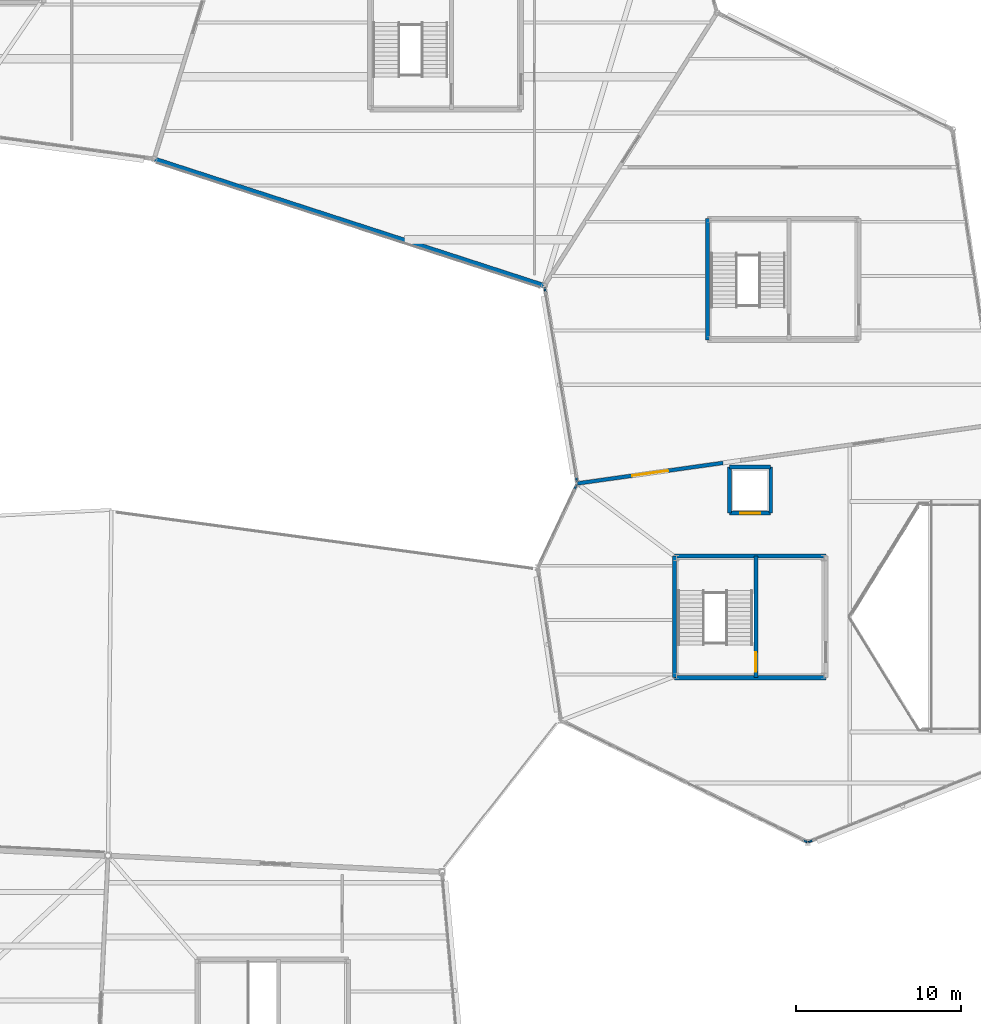
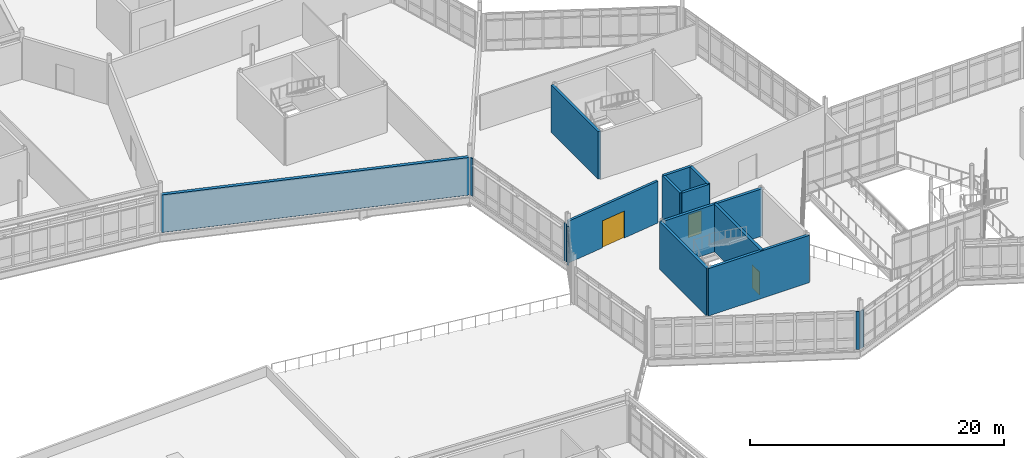
# One storey, part 89 of 114: 16 walls, 3 doors, 3 openings.
"""IFC4 building model written with IfcOpenShell, lengths in metres."""

from ifc_helpers import new_model, si_unit, direction, frame, frame_2d, origin, place, context, subcontext, project, spatial, rectangle, extrude, material, layer, layer_set, type_object, element, fill, save


model = new_model("IFC4")

# Units and contexts
model_context = context("Model", 3, precision=1e-05, world=origin(), true_north=direction((0.0, 1.0)))
body_context = subcontext(model_context, "Body", "Model", "MODEL_VIEW")
ifc_project = project(units=[si_unit("LENGTHUNIT", "METRE"), si_unit("AREAUNIT", "SQUARE_METRE"), si_unit("VOLUMEUNIT", "CUBIC_METRE"), si_unit("PLANEANGLEUNIT", "RADIAN"), si_unit("MASSUNIT", "GRAM", prefix="KILO")], contexts=[model_context])

# Site, building, storey
site_placement = place(None, origin())
site = spatial("IfcSite", under=ifc_project, at=site_placement, CompositionType="ELEMENT")
building_placement = place(site_placement, origin())
building = spatial("IfcBuilding", under=site, at=building_placement, Name="Tameran Prism Museum", CompositionType="ELEMENT")
storey_placement = place(building_placement, frame((0.0, 0.0, 10.199951171875)))
storey = spatial("IfcBuildingStorey", under=building, at=storey_placement, Name="L02", CompositionType="ELEMENT", Elevation=10.199951171875)

# Walls
ifc_material_1 = material(Name="Precast Concrete N40 (40 MPa)", Category="concrete")
ifc_layer_1 = layer(ifc_material_1, 0.094970703125)
ifc_layer_set_1 = layer_set([ifc_layer_1])
wall_type_1 = type_object("IfcWallType", Name="EW-CLOS-095", PredefinedType="SOLIDWALL", material=ifc_layer_set_1)
wall_1_placement = place(storey_placement, frame((65.9619140625, 22.819091796875, 0.0), z_axis=(0.0, 0.0, 1.0), x_axis=(-0.896952807524, 0.44212629539, 0.0)))
element("IfcWall", 1, at=wall_1_placement, inside=storey, type_object=wall_type_1, Name="Facade Corner Closure EW-0294", PredefinedType="SOLIDWALL", context=body_context, shape_type="SweptSolid", body=[
    extrude(rectangle(XDim=0.3076171875, YDim=0.094970703125, at=frame_2d((0.15380859375, 0.0))), origin(), (0.0, 0.0, 1.0), 3.6201171875),
])
wall_2_placement = place(storey_placement, frame((66.324951171875, 22.929931640625, 0.0), z_axis=(0.0, 0.0, 1.0), x_axis=(-0.928859130521, -0.370433145989, 0.0)))
element("IfcWall", 2, at=wall_2_placement, inside=storey, type_object=wall_type_1, Name="Facade Corner Closure EW-0297", PredefinedType="SOLIDWALL", context=body_context, shape_type="SweptSolid", body=[
    extrude(rectangle(XDim=0.307861328125, YDim=0.094970703125, at=frame_2d((0.15380859375, 0.0))), origin(), (0.0, 0.0, 1.0), 3.6201171875),
])
wall_3_placement = place(storey_placement, frame((51.824951171875, 44.22900390625, 0.0), z_axis=(0.0, 0.0, 1.0), x_axis=(0.425224932958, 0.905087706463, 0.0)))
element("IfcWall", 3, at=wall_3_placement, inside=storey, type_object=wall_type_1, Name="Facade Corner Closure EW-0299", PredefinedType="SOLIDWALL", context=body_context, shape_type="SweptSolid", body=[
    extrude(rectangle(XDim=0.308349609375, YDim=0.094970703125, at=frame_2d((0.154296875, 0.0))), origin(), (0.0, 0.0, 1.0), 3.6201171875),
])
for number, where, z_axis, x_axis, name in (
    (4, (51.98291015625, 44.699951171875, 0.0), (0.0, 0.0, 1.0), (-0.165554954509, 0.986200566334, 0.0), "Facade Corner Closure EW-0308"),
    (5, (50.068115234375, 56.196044921875, 0.0), (0.0, 0.0, 1.0), (-0.165554954509, 0.986200566334, 0.0), "Facade Corner Closure EW-0309"),
):
    element("IfcWall", number, at=place(storey_placement, frame(where, z_axis=z_axis, x_axis=x_axis)), inside=storey, type_object=wall_type_1, Name=name, PredefinedType="SOLIDWALL", context=body_context, shape_type="SweptSolid", body=[
        extrude(rectangle(XDim=0.30810546875, YDim=0.094970703125, at=frame_2d((0.154052734375, 0.0))), origin(), (0.0, 0.0, 1.0), 3.6201171875),
    ])
ifc_material_2 = material(Name="Precast Concrete N40 (40 MPa)", Category="concrete")
ifc_layer_2 = layer(ifc_material_2, 0.2900390625)
ifc_layer_set_2 = layer_set([ifc_layer_2])
wall_type_2 = type_object("IfcWallType", Name="EW-FOY-290", PredefinedType="SOLIDWALL", material=ifc_layer_set_2)
wall_4_placement = place(storey_placement, frame((49.943115234375, 56.618896484375, 0.0), z_axis=(0.0, 0.0, 1.0), x_axis=(-0.951074357174, 0.308962080402, 0.0)))
element("IfcWall", 6, at=wall_4_placement, inside=storey, type_object=wall_type_2, Name="Exterior Fluted Precast Wall EW-0341", PredefinedType="SOLIDWALL", context=body_context, shape_type="SweptSolid", body=[
    extrude(rectangle(XDim=24.799560546875, YDim=0.2900390625, at=frame_2d((12.39990234375, 0.0))), origin(), (0.0, 0.0, 1.0), 3.6201171875),
])

# Wall, opening, door
ifc_material_3 = material(Name="Concrete N40 (40 MPa)", Category="concrete")
ifc_layer_3 = layer(ifc_material_3, 0.22509765625)
ifc_layer_set_3 = layer_set([ifc_layer_3])
wall_type_3 = type_object("IfcWallType", Name="IW-CMP-225", PredefinedType="SOLIDWALL", material=ifc_layer_set_3)
wall_5_placement = place(storey_placement, frame((60.85009765625, 45.84912109375, 0.0), z_axis=(0.0, 0.0, 1.0), x_axis=(-0.990187360524, -0.139746166523, 0.0)))
wall_5 = element("IfcWall", 7, at=wall_5_placement, inside=storey, type_object=wall_type_3, Name="Compartment Wall IW-0118", PredefinedType="SOLIDWALL", context=body_context, shape_type="SweptSolid", body=[
    extrude(rectangle(XDim=8.937744140625, YDim=0.22509765625, at=frame_2d((4.46875, 0.0))), origin(), (0.0, 0.0, 1.0), 4.02001953125),
])
opening_1_placement = place(wall_5_placement, frame((3.368896484375, 0.0, 0.0)))
opening_1 = element("IfcOpeningElement", 8, at=opening_1_placement, cuts=wall_5, Name="Opening ID-0117", PredefinedType="OPENING", context=body_context, shape_type="SweptSolid", body=[
    extrude(rectangle(XDim=2.199951171875, YDim=2.60009765625, at=frame_2d((1.10009765625, 1.300048828125))), frame((0.0, 0.12255859375, 0.0), z_axis=(0.0, -1.0, 0.0), x_axis=(1.0, 0.0, 0.0)), (0.0, 0.0, 1.0), 0.2451171875),
])
ifc_material_4 = material(Name="Fire-Rated Steel Door Leaf and Frame", Category="steel")
door_type_1 = type_object("IfcDoorType", Name="DR-GAL-220", OperationType="DOUBLE_DOOR_SINGLE_SWING", PredefinedType="DOOR", material=ifc_material_4)
door_1_placement = place(opening_1_placement, origin())
door_1 = element("IfcDoor", 9, at=door_1_placement, inside=storey, type_object=door_type_1, Name="Compartment Door ID-0117", OperationType="DOUBLE_DOOR_SINGLE_SWING", OverallHeight=2.60009765625, OverallWidth=2.199951171875, PredefinedType="DOOR", context=body_context, shape_type="SweptSolid", body=[
    extrude(rectangle(XDim=2.199951171875, YDim=2.60009765625, at=frame_2d((1.10009765625, 1.300048828125))), frame((0.0, 0.02490234375, 0.0), z_axis=(0.0, -1.0, 0.0), x_axis=(1.0, 0.0, 0.0)), (0.0, 0.0, 1.0), 0.050048828125),
])
fill(opening_1, door_1)

# Walls
ifc_material_5 = material(Name="Concrete N40 (40 MPa)", Category="concrete")
ifc_layer_4 = layer(ifc_material_5, 0.25)
ifc_layer_set_4 = layer_set([ifc_layer_4])
wall_type_4 = type_object("IfcWallType", Name="IW-COR-250", PredefinedType="SHEAR", material=ifc_layer_set_4)
wall_6_placement = place(storey_placement, frame((57.89990234375, 32.800048828125, 0.0), z_axis=(0.0, 0.0, 1.0), x_axis=(0.0, 1.0, 0.0)))
element("IfcWall", 10, at=wall_6_placement, inside=storey, type_object=wall_type_4, Name="Core Shear Wall CW-3-L02-W", PredefinedType="SHEAR", context=body_context, shape_type="SweptSolid", body=[
    extrude(rectangle(XDim=7.39990234375, YDim=0.25, at=frame_2d((3.699951171875, 0.0))), origin(), (0.0, 0.0, 1.0), 4.56005859375),
])
for number, where, z_axis, x_axis, name in (
    (11, (57.89990234375, 40.199951171875, 0.0), (0.0, 0.0, 1.0), (1.0, 0.0, 0.0), "Core Shear Wall CW-3-L02-N"),
    (12, (67.10009765625, 32.800048828125, 0.0), (0.0, 0.0, 1.0), (-1.0, 0.0, 0.0), "Core Shear Wall CW-3-L02-S"),
):
    element("IfcWall", number, at=place(storey_placement, frame(where, z_axis=z_axis, x_axis=x_axis)), inside=storey, type_object=wall_type_4, Name=name, PredefinedType="SHEAR", context=body_context, shape_type="SweptSolid", body=[
        extrude(rectangle(XDim=9.2001953125, YDim=0.25, at=frame_2d((4.60009765625, 0.0))), origin(), (0.0, 0.0, 1.0), 4.56005859375),
    ])

# Wall, opening, door
wall_7_placement = place(storey_placement, frame((62.85009765625, 40.199951171875, 0.0), z_axis=(0.0, 0.0, 1.0), x_axis=(0.0, -1.0, 0.0)))
wall_7 = element("IfcWall", 13, at=wall_7_placement, inside=storey, type_object=wall_type_4, Name="Core Shear Wall CW-3-L02-M", PredefinedType="SHEAR", context=body_context, shape_type="SweptSolid", body=[
    extrude(rectangle(XDim=7.39990234375, YDim=0.25, at=frame_2d((3.699951171875, 0.0))), origin(), (0.0, 0.0, 1.0), 4.56005859375),
])
opening_2_placement = place(wall_7_placement, frame((5.85009765625, 0.0, 0.0)))
opening_2 = element("IfcOpeningElement", 14, at=opening_2_placement, cuts=wall_7, Name="Opening FD-0218", PredefinedType="OPENING", context=body_context, shape_type="SweptSolid", body=[
    extrude(rectangle(XDim=1.199951171875, YDim=2.199951171875, at=frame_2d((0.60009765625, 1.10009765625))), frame((0.0, 0.135009765625, 0.0), z_axis=(0.0, -1.0, 0.0), x_axis=(1.0, 0.0, 0.0)), (0.0, 0.0, 1.0), 0.27001953125),
])
ifc_material_6 = material(Name="Fire-Rated Steel Door Leaf and Frame", Category="steel")
door_type_2 = type_object("IfcDoorType", Name="DR-FD-120A", OperationType="NOTDEFINED", PredefinedType="DOOR", material=ifc_material_6)
door_2_placement = place(opening_2_placement, origin())
door_2 = element("IfcDoor", 15, at=door_2_placement, inside=storey, type_object=door_type_2, Name="Core Fire Door FD-0218", OperationType="SINGLE_SWING_RIGHT", OverallHeight=2.199951171875, OverallWidth=1.199951171875, PredefinedType="DOOR", context=body_context, shape_type="SweptSolid", body=[
    extrude(rectangle(XDim=1.199951171875, YDim=2.199951171875, at=frame_2d((0.60009765625, 1.10009765625))), frame((0.0, 0.02490234375, 0.0), z_axis=(0.0, -1.0, 0.0), x_axis=(1.0, 0.0, 0.0)), (0.0, 0.0, 1.0), 0.050048828125),
])
fill(opening_2, door_2)

# Walls
wall_8_placement = place(storey_placement, frame((59.89990234375, 53.300048828125, 0.0), z_axis=(0.0, 0.0, 1.0), x_axis=(0.0, 1.0, 0.0)))
element("IfcWall", 16, at=wall_8_placement, inside=storey, type_object=wall_type_4, Name="Core Shear Wall CW-8-L02-W", PredefinedType="SHEAR", context=body_context, shape_type="SweptSolid", body=[
    extrude(rectangle(XDim=7.39990234375, YDim=0.25, at=frame_2d((3.699951171875, 0.0))), origin(), (0.0, 0.0, 1.0), 4.56005859375),
])
ifc_material_7 = material(Name="Concrete N40 (40 MPa)", Category="concrete")
ifc_layer_5 = layer(ifc_material_7, 0.239990234375)
ifc_layer_set_5 = layer_set([ifc_layer_5])
wall_type_5 = type_object("IfcWallType", Name="IW-LFT-240", PredefinedType="SHEAR", material=ifc_layer_set_5)
wall_9_placement = place(storey_placement, frame((61.25, 45.60009765625, 0.0), z_axis=(0.0, 0.0, 1.0), x_axis=(1.0, 0.0, 0.0)))
element("IfcWall", 17, at=wall_9_placement, inside=storey, type_object=wall_type_5, Name="Lift Shaft Wall LW-PL01-L02N", PredefinedType="SHEAR", context=body_context, shape_type="SweptSolid", body=[
    extrude(rectangle(XDim=2.5, YDim=0.239990234375, at=frame_2d((1.25, 0.0))), origin(), (0.0, 0.0, 1.0), 4.56005859375),
])
for number, where, z_axis, x_axis, name in (
    (18, (63.75, 45.60009765625, 0.0), (0.0, 0.0, 1.0), (0.0, -1.0, 0.0), "Lift Shaft Wall LW-PL01-L02E"),
    (19, (61.25, 42.800048828125, 0.0), (0.0, 0.0, 1.0), (0.0, 1.0, 0.0), "Lift Shaft Wall LW-PL01-L02W"),
):
    element("IfcWall", number, at=place(storey_placement, frame(where, z_axis=z_axis, x_axis=x_axis)), inside=storey, type_object=wall_type_5, Name=name, PredefinedType="SHEAR", context=body_context, shape_type="SweptSolid", body=[
        extrude(rectangle(XDim=2.800048828125, YDim=0.239990234375, at=frame_2d((1.39990234375, 0.0))), origin(), (0.0, 0.0, 1.0), 4.56005859375),
    ])

# Wall, opening, door
wall_10_placement = place(storey_placement, frame((63.75, 42.800048828125, 0.0), z_axis=(0.0, 0.0, 1.0), x_axis=(-1.0, 0.0, 0.0)))
wall_10 = element("IfcWall", 20, at=wall_10_placement, inside=storey, type_object=wall_type_5, Name="Lift Shaft Wall LW-PL01-L02S", PredefinedType="SHEAR", context=body_context, shape_type="SweptSolid", body=[
    extrude(rectangle(XDim=2.5, YDim=0.239990234375, at=frame_2d((1.25, 0.0))), origin(), (0.0, 0.0, 1.0), 4.56005859375),
])
opening_3_placement = place(wall_10_placement, frame((0.64990234375, 0.0, 0.0)))
opening_3 = element("IfcOpeningElement", 21, at=opening_3_placement, cuts=wall_10, Name="Opening LD-PL01-L02", PredefinedType="OPENING", context=body_context, shape_type="SweptSolid", body=[
    extrude(rectangle(XDim=1.199951171875, YDim=2.199951171875, at=frame_2d((0.60009765625, 1.10009765625))), frame((0.0, 0.1298828125, 0.0), z_axis=(0.0, -1.0, 0.0), x_axis=(1.0, 0.0, 0.0)), (0.0, 0.0, 1.0), 0.260009765625),
])
ifc_material_8 = material(Name="Fire-Rated Steel Door Leaf and Frame", Category="steel")
door_type_3 = type_object("IfcDoorType", Name="DR-LD-PL1", OperationType="SLIDING_TO_LEFT", PredefinedType="DOOR", material=ifc_material_8)
door_3_placement = place(opening_3_placement, origin())
door_3 = element("IfcDoor", 22, at=door_3_placement, inside=storey, type_object=door_type_3, Name="Passenger Lift PL-01 Landing Door L02", OperationType="SLIDING_TO_LEFT", OverallHeight=2.199951171875, OverallWidth=1.199951171875, PredefinedType="DOOR", context=body_context, shape_type="SweptSolid", body=[
    extrude(rectangle(XDim=1.199951171875, YDim=2.199951171875, at=frame_2d((0.60009765625, 1.10009765625))), frame((0.0, 0.02490234375, 0.0), z_axis=(0.0, -1.0, 0.0), x_axis=(1.0, 0.0, 0.0)), (0.0, 0.0, 1.0), 0.050048828125),
])
fill(opening_3, door_3)

save(model, "model.ifc")
